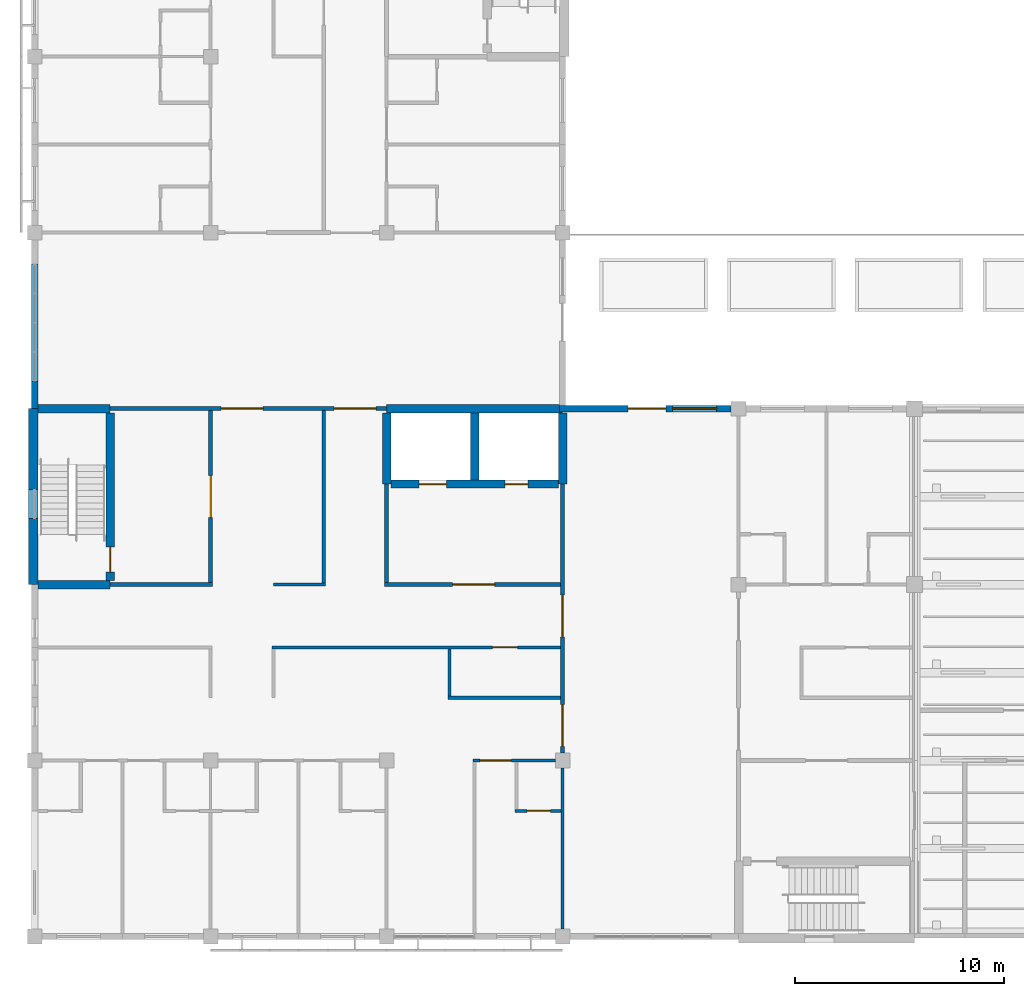
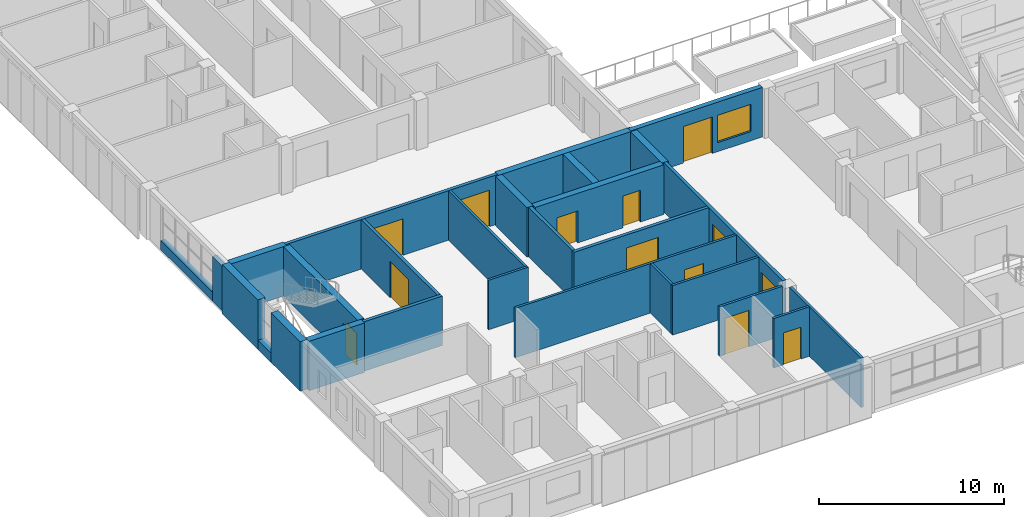
# One storey, part 28 of 61: 28 walls, 13 doors, 1 window, 14 openings.
"""IFC4 building model written with IfcOpenShell, lengths in metres."""

from ifc_helpers import new_model, si_unit, direction, frame, frame_2d, origin, place, context, subcontext, project, spatial, rectangle, extrude, material, layer, layer_set, type_object, element, fill, save


model = new_model("IFC4")

# Units and contexts
model_context = context("Model", 3, precision=1e-05, world=origin(), true_north=direction((0.0, 1.0)))
body_context = subcontext(model_context, "Body", "Model", "MODEL_VIEW")
ifc_project = project(units=[si_unit("LENGTHUNIT", "METRE"), si_unit("AREAUNIT", "SQUARE_METRE"), si_unit("VOLUMEUNIT", "CUBIC_METRE"), si_unit("PLANEANGLEUNIT", "RADIAN"), si_unit("MASSUNIT", "GRAM", prefix="KILO")], contexts=[model_context])

# Site, building, storey
site_placement = place(None, origin())
site = spatial("IfcSite", under=ifc_project, at=site_placement, CompositionType="ELEMENT")
building_placement = place(site_placement, origin())
building = spatial("IfcBuilding", under=site, at=building_placement, Name="Yavir Park General Hospital", CompositionType="ELEMENT")
storey_placement = place(building_placement, frame((0.0, 0.0, 15.300048828125)))
storey = spatial("IfcBuildingStorey", under=building, at=storey_placement, Name="L03", CompositionType="ELEMENT", Elevation=15.300048828125)

# Wall
ifc_material_1 = material(Name="Double gypsum board fire partition on steel studs", Category="steel")
ifc_layer_1 = layer(ifc_material_1, 0.199951171875)
ifc_layer_set_1 = layer_set([ifc_layer_1], Name="Double gypsum board fire partition on steel studs")
wall_type_1 = type_object("IfcWallType", Name="Fire-rated partition 200, EI 60", PredefinedType="PARTITIONING", material=ifc_layer_set_1)
wall_1_placement = place(storey_placement, frame((3.60009765625, 16.800048828125, 0.0), z_axis=(0.0, 0.0, 1.0), x_axis=(1.0, 0.0, 0.0)))
element("IfcWall", 1, at=wall_1_placement, inside=storey, type_object=wall_type_1, Name="FP20 L03-041", PredefinedType="PARTITIONING", context=body_context, shape_type="SweptSolid", body=[
    extrude(rectangle(XDim=4.89990234375, YDim=0.199951171875, at=frame_2d((2.449951171875, 0.0))), origin(), (0.0, 0.0, 1.0), 3.260009765625),
])

# Wall, opening, door
wall_2_placement = place(storey_placement, frame((16.699951171875, 16.800048828125, 0.0), z_axis=(0.0, 0.0, 1.0), x_axis=(1.0, 0.0, 0.0)))
wall_2 = element("IfcWall", 2, at=wall_2_placement, inside=storey, type_object=wall_type_1, Name="FP20 L03-043", PredefinedType="PARTITIONING", context=body_context, shape_type="SweptSolid", body=[
    extrude(rectangle(XDim=8.400146484375, YDim=0.199951171875, at=frame_2d((4.2001953125, 0.0))), origin(), (0.0, 0.0, 1.0), 3.260009765625),
])
opening_1_placement = place(wall_2_placement, frame((3.25, 0.0, 0.0)))
opening_1 = element("IfcOpeningElement", 3, at=opening_1_placement, cuts=wall_2, Name="Opening L03.D054", PredefinedType="OPENING", context=body_context, shape_type="SweptSolid", body=[
    extrude(rectangle(XDim=2.0, YDim=2.39990234375, at=frame_2d((1.0, 1.199951171875))), frame((0.0, 0.10986328125, 0.0), z_axis=(0.0, -1.0, 0.0), x_axis=(1.0, 0.0, 0.0)), (0.0, 0.0, 1.0), 0.219970703125),
])
ifc_material_2 = material(Name="Steel frame, fire-resisting leaves with vision panels", Category="steel")
door_type_1 = type_object("IfcDoorType", Name="Double fire door with vision panels 2000 x 2400, EI 60", OperationType="DOUBLE_DOOR_SINGLE_SWING", PredefinedType="DOOR", material=ifc_material_2)
door_1_placement = place(opening_1_placement, origin())
door_1 = element("IfcDoor", 4, at=door_1_placement, inside=storey, type_object=door_type_1, Name="L03.D054", OperationType="SINGLE_SWING_RIGHT", OverallHeight=2.39990234375, OverallWidth=2.0, PredefinedType="DOOR", context=body_context, shape_type="SweptSolid", body=[
    extrude(rectangle(XDim=2.0, YDim=2.39990234375, at=frame_2d((1.0, 1.199951171875))), frame((0.0, 0.030029296875, 0.0), z_axis=(0.0, -1.0, 0.0), x_axis=(1.0, 0.0, 0.0)), (0.0, 0.0, 1.0), 0.06005859375),
])
fill(opening_1, door_1)

# Wall, openings, doors
wall_3_placement = place(storey_placement, frame((3.60009765625, 25.199951171875, 0.0), z_axis=(0.0, 0.0, 1.0), x_axis=(1.0, 0.0, 0.0)))
wall_3 = element("IfcWall", 5, at=wall_3_placement, inside=storey, type_object=wall_type_1, Name="FP20 L03-061", PredefinedType="PARTITIONING", context=body_context, shape_type="SweptSolid", body=[
    extrude(rectangle(XDim=13.199951171875, YDim=0.199951171875, at=frame_2d((6.60009765625, 0.0))), origin(), (0.0, 0.0, 1.0), 3.260009765625),
])
opening_2_placement = place(wall_3_placement, frame((5.300048828125, 0.0, 0.0)))
opening_2 = element("IfcOpeningElement", 6, at=opening_2_placement, cuts=wall_3, Name="Opening L03.D079", PredefinedType="OPENING", context=body_context, shape_type="SweptSolid", body=[
    extrude(rectangle(XDim=2.0, YDim=2.39990234375, at=frame_2d((1.0, 1.199951171875))), frame((0.0, 0.10986328125, 0.0), z_axis=(0.0, -1.0, 0.0), x_axis=(1.0, 0.0, 0.0)), (0.0, 0.0, 1.0), 0.219970703125),
])
opening_3_placement = place(wall_3_placement, frame((10.699951171875, 0.0, 0.0)))
opening_3 = element("IfcOpeningElement", 7, at=opening_3_placement, cuts=wall_3, Name="Opening L03.D080", PredefinedType="OPENING", context=body_context, shape_type="SweptSolid", body=[
    extrude(rectangle(XDim=2.0, YDim=2.39990234375, at=frame_2d((1.0, 1.199951171875))), frame((0.0, 0.10986328125, 0.0), z_axis=(0.0, -1.0, 0.0), x_axis=(1.0, 0.0, 0.0)), (0.0, 0.0, 1.0), 0.219970703125),
])
door_2_placement = place(opening_2_placement, origin())
door_2 = element("IfcDoor", 8, at=door_2_placement, inside=storey, type_object=door_type_1, Name="L03.D079", OperationType="SINGLE_SWING_LEFT", OverallHeight=2.39990234375, OverallWidth=2.0, PredefinedType="DOOR", context=body_context, shape_type="SweptSolid", body=[
    extrude(rectangle(XDim=2.0, YDim=2.39990234375, at=frame_2d((1.0, 1.199951171875))), frame((0.0, 0.030029296875, 0.0), z_axis=(0.0, -1.0, 0.0), x_axis=(1.0, 0.0, 0.0)), (0.0, 0.0, 1.0), 0.06005859375),
])
fill(opening_2, door_2)
door_3_placement = place(opening_3_placement, origin())
door_3 = element("IfcDoor", 9, at=door_3_placement, inside=storey, type_object=door_type_1, Name="L03.D080", OperationType="SINGLE_SWING_LEFT", OverallHeight=2.39990234375, OverallWidth=2.0, PredefinedType="DOOR", context=body_context, shape_type="SweptSolid", body=[
    extrude(rectangle(XDim=2.0, YDim=2.39990234375, at=frame_2d((1.0, 1.199951171875))), frame((0.0, 0.030029296875, 0.0), z_axis=(0.0, -1.0, 0.0), x_axis=(1.0, 0.0, 0.0)), (0.0, 0.0, 1.0), 0.06005859375),
])
fill(opening_3, door_3)

# Wall, opening, door
wall_4_placement = place(storey_placement, frame((8.39990234375, 16.89990234375, 0.0), z_axis=(0.0, 0.0, 1.0), x_axis=(0.0, 1.0, 0.0)))
wall_4 = element("IfcWall", 10, at=wall_4_placement, inside=storey, type_object=wall_type_1, Name="FP20 L03-167", PredefinedType="PARTITIONING", context=body_context, shape_type="SweptSolid", body=[
    extrude(rectangle(XDim=8.2001953125, YDim=0.199951171875, at=frame_2d((4.10009765625, 0.0))), origin(), (0.0, 0.0, 1.0), 3.260009765625),
])
opening_4_placement = place(wall_4_placement, frame((3.10009765625, 0.0, 0.0)))
opening_4 = element("IfcOpeningElement", 11, at=opening_4_placement, cuts=wall_4, Name="Opening L03.D104", PredefinedType="OPENING", context=body_context, shape_type="SweptSolid", body=[
    extrude(rectangle(XDim=2.0, YDim=2.39990234375, at=frame_2d((1.0, 1.199951171875))), frame((0.0, 0.10986328125, 0.0), z_axis=(0.0, -1.0, 0.0), x_axis=(1.0, 0.0, 0.0)), (0.0, 0.0, 1.0), 0.219970703125),
])
door_4_placement = place(opening_4_placement, origin())
door_4 = element("IfcDoor", 12, at=door_4_placement, inside=storey, type_object=door_type_1, Name="L03.D104", OperationType="SINGLE_SWING_RIGHT", OverallHeight=2.39990234375, OverallWidth=2.0, PredefinedType="DOOR", context=body_context, shape_type="SweptSolid", body=[
    extrude(rectangle(XDim=2.0, YDim=2.39990234375, at=frame_2d((1.0, 1.199951171875))), frame((0.0, 0.030029296875, 0.0), z_axis=(0.0, -1.0, 0.0), x_axis=(1.0, 0.0, 0.0)), (0.0, 0.0, 1.0), 0.06005859375),
])
fill(opening_4, door_4)

# Wall
wall_5_placement = place(storey_placement, frame((16.800048828125, 16.89990234375, 0.0), z_axis=(0.0, 0.0, 1.0), x_axis=(0.0, 1.0, 0.0)))
element("IfcWall", 13, at=wall_5_placement, inside=storey, type_object=wall_type_1, Name="FP20 L03-189", PredefinedType="PARTITIONING", context=body_context, shape_type="SweptSolid", body=[
    extrude(rectangle(XDim=4.7001953125, YDim=0.199951171875, at=frame_2d((2.35009765625, 0.0))), origin(), (0.0, 0.0, 1.0), 3.260009765625),
])

# Wall, openings, doors
wall_6_placement = place(storey_placement, frame((25.199951171875, 8.75, 0.0), z_axis=(0.0, 0.0, 1.0), x_axis=(0.0, 1.0, 0.0)))
wall_6 = element("IfcWall", 14, at=wall_6_placement, inside=storey, type_object=wall_type_1, Name="FP20 L03-217", PredefinedType="PARTITIONING", context=body_context, shape_type="SweptSolid", body=[
    extrude(rectangle(XDim=12.85009765625, YDim=0.199951171875, at=frame_2d((6.425048828125, 0.0))), origin(), (0.0, 0.0, 1.0), 3.260009765625),
])
opening_5_placement = place(wall_6_placement, frame((0.324951171875, 0.0, 0.0)))
opening_5 = element("IfcOpeningElement", 15, at=opening_5_placement, cuts=wall_6, Name="Opening L03.D153", PredefinedType="OPENING", context=body_context, shape_type="SweptSolid", body=[
    extrude(rectangle(XDim=2.0, YDim=2.39990234375, at=frame_2d((1.0, 1.199951171875))), frame((0.0, 0.10986328125, 0.0), z_axis=(0.0, -1.0, 0.0), x_axis=(1.0, 0.0, 0.0)), (0.0, 0.0, 1.0), 0.219970703125),
])
opening_6_placement = place(wall_6_placement, frame((5.550048828125, 0.0, 0.0)))
opening_6 = element("IfcOpeningElement", 16, at=opening_6_placement, cuts=wall_6, Name="Opening L03.D154", PredefinedType="OPENING", context=body_context, shape_type="SweptSolid", body=[
    extrude(rectangle(XDim=2.0, YDim=2.39990234375, at=frame_2d((1.0, 1.199951171875))), frame((0.0, 0.10986328125, 0.0), z_axis=(0.0, -1.0, 0.0), x_axis=(1.0, 0.0, 0.0)), (0.0, 0.0, 1.0), 0.219970703125),
])
door_5_placement = place(opening_5_placement, origin())
door_5 = element("IfcDoor", 17, at=door_5_placement, inside=storey, type_object=door_type_1, Name="L03.D153", OperationType="SINGLE_SWING_LEFT", OverallHeight=2.39990234375, OverallWidth=2.0, PredefinedType="DOOR", context=body_context, shape_type="SweptSolid", body=[
    extrude(rectangle(XDim=2.0, YDim=2.39990234375, at=frame_2d((1.0, 1.199951171875))), frame((0.0, 0.030029296875, 0.0), z_axis=(0.0, -1.0, 0.0), x_axis=(1.0, 0.0, 0.0)), (0.0, 0.0, 1.0), 0.06005859375),
])
fill(opening_5, door_5)
door_6_placement = place(opening_6_placement, origin())
door_6 = element("IfcDoor", 18, at=door_6_placement, inside=storey, type_object=door_type_1, Name="L03.D154", OperationType="SINGLE_SWING_RIGHT", OverallHeight=2.39990234375, OverallWidth=2.0, PredefinedType="DOOR", context=body_context, shape_type="SweptSolid", body=[
    extrude(rectangle(XDim=2.0, YDim=2.39990234375, at=frame_2d((1.0, 1.199951171875))), frame((0.0, 0.030029296875, 0.0), z_axis=(0.0, -1.0, 0.0), x_axis=(1.0, 0.0, 0.0)), (0.0, 0.0, 1.0), 0.06005859375),
])
fill(opening_6, door_6)

# Wall, opening, door
ifc_material_3 = material(Name="Gypsum board partition on steel studs", Category="steel")
ifc_layer_2 = layer(ifc_material_3, 0.14990234375)
ifc_layer_set_2 = layer_set([ifc_layer_2], Name="Gypsum board partition on steel studs")
wall_type_2 = type_object("IfcWallType", Name="Gypsum board partition 150", PredefinedType="PARTITIONING", material=ifc_layer_set_2)
wall_7_placement = place(storey_placement, frame((22.925048828125, 6.0, 0.0), z_axis=(0.0, 0.0, 1.0), x_axis=(1.0, 0.0, 0.0)))
wall_7 = element("IfcWall", 19, at=wall_7_placement, inside=storey, type_object=wall_type_2, Name="P15 L03-008", PredefinedType="PARTITIONING", context=body_context, shape_type="SweptSolid", body=[
    extrude(rectangle(XDim=2.199951171875, YDim=0.14990234375, at=frame_2d((1.10009765625, 0.0))), origin(), (0.0, 0.0, 1.0), 3.260009765625),
])
opening_7_placement = place(wall_7_placement, frame((0.58740234375, 0.0, 0.0)))
opening_7 = element("IfcOpeningElement", 20, at=opening_7_placement, cuts=wall_7, Name="Opening L03.D009", PredefinedType="OPENING", context=body_context, shape_type="SweptSolid", body=[
    extrude(rectangle(XDim=1.10009765625, YDim=2.10009765625, at=frame_2d((0.550048828125, 1.050048828125))), frame((0.0, 0.0849609375, 0.0), z_axis=(0.0, -1.0, 0.0), x_axis=(1.0, 0.0, 0.0)), (0.0, 0.0, 1.0), 0.169921875),
])
ifc_material_4 = material(Name="Hollow metal frame, solid-core timber leaf", Category="wood")
door_type_2 = type_object("IfcDoorType", Name="Single swing door 1100 x 2100", OperationType="SINGLE_SWING_LEFT", PredefinedType="DOOR", material=ifc_material_4)
door_7_placement = place(opening_7_placement, origin())
door_7 = element("IfcDoor", 21, at=door_7_placement, inside=storey, type_object=door_type_2, Name="L03.D009", OperationType="SINGLE_SWING_RIGHT", OverallHeight=2.10009765625, OverallWidth=1.10009765625, PredefinedType="DOOR", context=body_context, shape_type="SweptSolid", body=[
    extrude(rectangle(XDim=1.10009765625, YDim=2.10009765625, at=frame_2d((0.550048828125, 1.050048828125))), frame((0.0, 0.02490234375, 0.0), z_axis=(0.0, -1.0, 0.0), x_axis=(1.0, 0.0, 0.0)), (0.0, 0.0, 1.0), 0.050048828125),
])
fill(opening_7, door_7)

wall_8_placement = place(storey_placement, frame((20.925048828125, 8.39990234375, 0.0), z_axis=(0.0, 0.0, 1.0), x_axis=(1.0, 0.0, 0.0)))
wall_8 = element("IfcWall", 22, at=wall_8_placement, inside=storey, type_object=wall_type_2, Name="P15 L03-016", PredefinedType="PARTITIONING", context=body_context, shape_type="SweptSolid", body=[
    extrude(rectangle(XDim=3.925048828125, YDim=0.14990234375, at=frame_2d((1.96240234375, 0.0))), origin(), (0.0, 0.0, 1.0), 3.260009765625),
])
opening_8_placement = place(wall_8_placement, frame((0.324951171875, 0.0, 0.0)))
opening_8 = element("IfcOpeningElement", 23, at=opening_8_placement, cuts=wall_8, Name="Opening L03.D024", PredefinedType="OPENING", context=body_context, shape_type="SweptSolid", body=[
    extrude(rectangle(XDim=1.5, YDim=2.39990234375, at=frame_2d((0.75, 1.199951171875))), frame((0.0, 0.0849609375, 0.0), z_axis=(0.0, -1.0, 0.0), x_axis=(1.0, 0.0, 0.0)), (0.0, 0.0, 1.0), 0.169921875),
])
ifc_material_5 = material(Name="Solid-core timber leaves, push plates, kick plates", Category="wood")
door_type_3 = type_object("IfcDoorType", Name="Bed door, unequal leaves 1500 x 2400", OperationType="DOUBLE_DOOR_SINGLE_SWING", PredefinedType="DOOR", material=ifc_material_5)
door_8_placement = place(opening_8_placement, origin())
door_8 = element("IfcDoor", 24, at=door_8_placement, inside=storey, type_object=door_type_3, Name="L03.D024", OperationType="SINGLE_SWING_LEFT", OverallHeight=2.39990234375, OverallWidth=1.5, PredefinedType="DOOR", context=body_context, shape_type="SweptSolid", body=[
    extrude(rectangle(XDim=1.5, YDim=2.39990234375, at=frame_2d((0.75, 1.199951171875))), frame((0.0, 0.030029296875, 0.0), z_axis=(0.0, -1.0, 0.0), x_axis=(1.0, 0.0, 0.0)), (0.0, 0.0, 1.0), 0.06005859375),
])
fill(opening_8, door_8)

# Wall
wall_9_placement = place(storey_placement, frame((19.72509765625, 11.39990234375, 0.0), z_axis=(0.0, 0.0, 1.0), x_axis=(1.0, 0.0, 0.0)))
element("IfcWall", 25, at=wall_9_placement, inside=storey, type_object=wall_type_2, Name="P15 L03-030", PredefinedType="PARTITIONING", context=body_context, shape_type="SweptSolid", body=[
    extrude(rectangle(XDim=5.375, YDim=0.14990234375, at=frame_2d((2.6875, 0.0))), origin(), (0.0, 0.0, 1.0), 3.260009765625),
])

# Wall, opening, door
wall_10_placement = place(storey_placement, frame((11.324951171875, 13.800048828125, 0.0), z_axis=(0.0, 0.0, 1.0), x_axis=(1.0, 0.0, 0.0)))
wall_10 = element("IfcWall", 26, at=wall_10_placement, inside=storey, type_object=wall_type_2, Name="P15 L03-035", PredefinedType="PARTITIONING", context=body_context, shape_type="SweptSolid", body=[
    extrude(rectangle(XDim=13.775146484375, YDim=0.14990234375, at=frame_2d((6.8876953125, 0.0))), origin(), (0.0, 0.0, 1.0), 3.260009765625),
])
opening_9_placement = place(wall_10_placement, frame((10.52490234375, 0.0, 0.0)))
opening_9 = element("IfcOpeningElement", 27, at=opening_9_placement, cuts=wall_10, Name="Opening L03.D048", PredefinedType="OPENING", context=body_context, shape_type="SweptSolid", body=[
    extrude(rectangle(XDim=1.199951171875, YDim=2.10009765625, at=frame_2d((0.60009765625, 1.050048828125))), frame((0.0, 0.0849609375, 0.0), z_axis=(0.0, -1.0, 0.0), x_axis=(1.0, 0.0, 0.0)), (0.0, 0.0, 1.0), 0.169921875),
])
ifc_material_6 = material(Name="Hollow metal frame, solid-core timber leaf", Category="wood")
door_type_4 = type_object("IfcDoorType", Name="Single swing door 1200 x 2100", OperationType="SINGLE_SWING_LEFT", PredefinedType="DOOR", material=ifc_material_6)
door_9_placement = place(opening_9_placement, origin())
door_9 = element("IfcDoor", 28, at=door_9_placement, inside=storey, type_object=door_type_4, Name="L03.D048", OperationType="SINGLE_SWING_LEFT", OverallHeight=2.10009765625, OverallWidth=1.199951171875, PredefinedType="DOOR", context=body_context, shape_type="SweptSolid", body=[
    extrude(rectangle(XDim=1.199951171875, YDim=2.10009765625, at=frame_2d((0.60009765625, 1.050048828125))), frame((0.0, 0.02490234375, 0.0), z_axis=(0.0, -1.0, 0.0), x_axis=(1.0, 0.0, 0.0)), (0.0, 0.0, 1.0), 0.050048828125),
])
fill(opening_9, door_9)

# Walls
wall_11_placement = place(storey_placement, frame((11.39990234375, 16.800048828125, 0.0), z_axis=(0.0, 0.0, 1.0), x_axis=(1.0, 0.0, 0.0)))
element("IfcWall", 29, at=wall_11_placement, inside=storey, type_object=wall_type_2, Name="P15 L03-042", PredefinedType="PARTITIONING", context=body_context, shape_type="SweptSolid", body=[
    extrude(rectangle(XDim=2.47509765625, YDim=0.14990234375, at=frame_2d((1.237548828125, 0.0))), origin(), (0.0, 0.0, 1.0), 3.260009765625),
])
wall_12_placement = place(storey_placement, frame((13.800048828125, 16.875, 0.0), z_axis=(0.0, 0.0, 1.0), x_axis=(0.0, 1.0, 0.0)))
element("IfcWall", 30, at=wall_12_placement, inside=storey, type_object=wall_type_2, Name="P15 L03-183", PredefinedType="PARTITIONING", context=body_context, shape_type="SweptSolid", body=[
    extrude(rectangle(XDim=8.22509765625, YDim=0.14990234375, at=frame_2d((4.112548828125, 0.0))), origin(), (0.0, 0.0, 1.0), 3.260009765625),
])
wall_13_placement = place(storey_placement, frame((19.800048828125, 11.47509765625, 0.0), z_axis=(0.0, 0.0, 1.0), x_axis=(0.0, 1.0, 0.0)))
element("IfcWall", 31, at=wall_13_placement, inside=storey, type_object=wall_type_2, Name="P15 L03-209", PredefinedType="PARTITIONING", context=body_context, shape_type="SweptSolid", body=[
    extrude(rectangle(XDim=2.25, YDim=0.14990234375, at=frame_2d((1.125, 0.0))), origin(), (0.0, 0.0, 1.0), 3.260009765625),
])
wall_14_placement = place(storey_placement, frame((25.199951171875, 0.35009765625, 0.0), z_axis=(0.0, 0.0, 1.0), x_axis=(0.0, 1.0, 0.0)))
element("IfcWall", 32, at=wall_14_placement, inside=storey, type_object=wall_type_2, Name="P15 L03-216", PredefinedType="PARTITIONING", context=body_context, shape_type="SweptSolid", body=[
    extrude(rectangle(XDim=7.699951171875, YDim=0.14990234375, at=frame_2d((3.85009765625, 0.0))), origin(), (0.0, 0.0, 1.0), 3.260009765625),
])

# Wall, openings, window, door
ifc_material_7 = material(Name="Autoclaved aerated block, mineral wool and ochre mineral render")
ifc_layer_3 = layer(ifc_material_7, 0.300048828125)
ifc_layer_set_3 = layer_set([ifc_layer_3], Name="Autoclaved aerated block, mineral wool and ochre mineral render")
wall_type_3 = type_object("IfcWallType", Name="Ochre render ward wall 300, E 30", PredefinedType="SOLIDWALL", material=ifc_layer_set_3)
wall_15_placement = place(storey_placement, frame((25.050048828125, 25.199951171875, 0.0), z_axis=(0.0, 0.0, 1.0), x_axis=(1.0, 0.0, 0.0)))
wall_15 = element("IfcWall", 33, at=wall_15_placement, inside=storey, type_object=wall_type_3, Name="XW7 L03-045", PredefinedType="SOLIDWALL", context=body_context, shape_type="SweptSolid", body=[
    extrude(rectangle(XDim=8.199951171875, YDim=0.300048828125, at=frame_2d((4.10009765625, 0.0))), origin(), (0.0, 0.0, 1.0), 3.260009765625),
])
opening_10_placement = place(wall_15_placement, frame((5.39990234375, 0.0, 0.60009765625)))
opening_10 = element("IfcOpeningElement", 34, at=opening_10_placement, cuts=wall_15, Name="Opening WB", PredefinedType="OPENING", context=body_context, shape_type="SweptSolid", body=[
    extrude(rectangle(XDim=2.10009765625, YDim=1.800048828125, at=frame_2d((1.050048828125, 0.89990234375))), frame((0.0, 0.159912109375, 0.0), z_axis=(0.0, -1.0, 0.0), x_axis=(1.0, 0.0, 0.0)), (0.0, 0.0, 1.0), 0.320068359375),
])
opening_11_placement = place(wall_15_placement, frame((3.27490234375, 0.0, 0.0)))
opening_11 = element("IfcOpeningElement", 35, at=opening_11_placement, cuts=wall_15, Name="Opening L03.X01", PredefinedType="OPENING", context=body_context, shape_type="SweptSolid", body=[
    extrude(rectangle(XDim=1.800048828125, YDim=2.39990234375, at=frame_2d((0.89990234375, 1.199951171875))), frame((0.0, 0.159912109375, 0.0), z_axis=(0.0, -1.0, 0.0), x_axis=(1.0, 0.0, 0.0)), (0.0, 0.0, 1.0), 0.320068359375),
])
ifc_material_8 = material(Name="Aluminium frame, double glazed unit", Category="aluminium")
window_type = type_object("IfcWindowType", Name="Day room low-sill window 2100 x 1800", PartitioningType="DOUBLE_PANEL_VERTICAL", PredefinedType="WINDOW", material=ifc_material_8)
window_placement = place(opening_10_placement, origin())
window = element("IfcWindow", 36, at=window_placement, inside=storey, type_object=window_type, Name="WB L03-021", OverallHeight=1.800048828125, OverallWidth=2.10009765625, PartitioningType="DOUBLE_PANEL_VERTICAL", PredefinedType="WINDOW", context=body_context, shape_type="SweptSolid", body=[
    extrude(rectangle(XDim=2.10009765625, YDim=1.800048828125, at=frame_2d((1.050048828125, 0.89990234375))), frame((0.0, 0.030029296875, 0.0), z_axis=(0.0, -1.0, 0.0), x_axis=(1.0, 0.0, 0.0)), (0.0, 0.0, 1.0), 0.06005859375),
])
fill(opening_10, window)
ifc_material_9 = material(Name="Aluminium thermal-break frame, double glazed leaves", Category="aluminium")
door_type_5 = type_object("IfcDoorType", Name="Thermally broken balcony sliding door 1800 x 2400", OperationType="DOUBLE_DOOR_SLIDING", PredefinedType="DOOR", material=ifc_material_9)
door_10_placement = place(opening_11_placement, origin())
door_10 = element("IfcDoor", 37, at=door_10_placement, inside=storey, type_object=door_type_5, Name="L03.X01", OperationType="DOUBLE_DOOR_SLIDING", OverallHeight=2.39990234375, OverallWidth=1.800048828125, PredefinedType="DOOR", context=body_context, shape_type="SweptSolid", body=[
    extrude(rectangle(XDim=1.800048828125, YDim=2.39990234375, at=frame_2d((0.89990234375, 1.199951171875))), frame((0.0, 0.030029296875, 0.0), z_axis=(0.0, -1.0, 0.0), x_axis=(1.0, 0.0, 0.0)), (0.0, 0.0, 1.0), 0.06005859375),
])
fill(opening_11, door_10)

# Walls
wall_16_placement = place(storey_placement, frame((0.0, 25.199951171875, 0.0), z_axis=(0.0, 0.0, 1.0), x_axis=(0.0, 1.0, 0.0)))
element("IfcWall", 38, at=wall_16_placement, inside=storey, type_object=wall_type_3, Name="XW7 L03-100", PredefinedType="SOLIDWALL", context=body_context, shape_type="SweptSolid", body=[
    extrude(rectangle(XDim=1.300048828125, YDim=0.300048828125, at=frame_2d((0.64990234375, 0.0))), origin(), (0.0, 0.0, 1.0), 2.9599609375),
])
wall_17_placement = place(storey_placement, frame((0.0, 26.5, 0.0), z_axis=(0.0, 0.0, 1.0), x_axis=(0.0, 1.0, 0.0)))
element("IfcWall", 39, at=wall_17_placement, inside=storey, type_object=wall_type_3, Name="XW7 L03-102", PredefinedType="SOLIDWALL", context=body_context, shape_type="SweptSolid", body=[
    extrude(rectangle(XDim=5.60009765625, YDim=0.300048828125, at=frame_2d((2.800048828125, 0.0))), origin(), (0.0, 0.0, 1.0), 0.599853515625),
])
ifc_material_10 = material(Name="Concrete C35/45", Category="concrete")
ifc_layer_4 = layer(ifc_material_10, 0.39990234375)
ifc_layer_set_4 = layer_set([ifc_layer_4], Name="Concrete C35/45")
wall_type_4 = type_object("IfcWallType", Name="Reinforced concrete core wall 400, REI 150", PredefinedType="SHEAR", material=ifc_layer_set_4)
wall_18_placement = place(storey_placement, frame((0.14990234375, 16.800048828125, 0.0), z_axis=(0.0, 0.0, 1.0), x_axis=(1.0, 0.0, 0.0)))
element("IfcWall", 40, at=wall_18_placement, inside=storey, type_object=wall_type_4, Name="CW40 L03-040", PredefinedType="SHEAR", context=body_context, shape_type="SweptSolid", body=[
    extrude(rectangle(XDim=3.4501953125, YDim=0.39990234375, at=frame_2d((1.72509765625, 0.0))), origin(), (0.0, 0.0, 1.0), 3.260009765625),
])

# Wall, openings, doors
wall_19_placement = place(storey_placement, frame((17.0, 21.60009765625, 0.0), z_axis=(0.0, 0.0, 1.0), x_axis=(1.0, 0.0, 0.0)))
wall_19 = element("IfcWall", 41, at=wall_19_placement, inside=storey, type_object=wall_type_4, Name="CW40 L03-058", PredefinedType="SHEAR", context=body_context, shape_type="SweptSolid", body=[
    extrude(rectangle(XDim=8.0, YDim=0.39990234375, at=frame_2d((4.0, 0.0))), origin(), (0.0, 0.0, 1.0), 3.260009765625),
])
opening_12_placement = place(wall_19_placement, frame((1.35009765625, 0.0, 0.0)))
opening_12 = element("IfcOpeningElement", 42, at=opening_12_placement, cuts=wall_19, Name="Opening L03.D071", PredefinedType="OPENING", context=body_context, shape_type="SweptSolid", body=[
    extrude(rectangle(XDim=1.300048828125, YDim=2.10009765625, at=frame_2d((0.64990234375, 1.050048828125))), frame((0.0, 0.2099609375, 0.0), z_axis=(0.0, -1.0, 0.0), x_axis=(1.0, 0.0, 0.0)), (0.0, 0.0, 1.0), 0.419921875),
])
opening_13_placement = place(wall_19_placement, frame((5.449951171875, 0.0, 0.0)))
opening_13 = element("IfcOpeningElement", 43, at=opening_13_placement, cuts=wall_19, Name="Opening L03.D072", PredefinedType="OPENING", context=body_context, shape_type="SweptSolid", body=[
    extrude(rectangle(XDim=1.10009765625, YDim=2.10009765625, at=frame_2d((0.550048828125, 1.050048828125))), frame((0.0, 0.2099609375, 0.0), z_axis=(0.0, -1.0, 0.0), x_axis=(1.0, 0.0, 0.0)), (0.0, 0.0, 1.0), 0.419921875),
])
ifc_material_11 = material(Name="Stainless steel landing door panels", Category="steel")
door_type_6 = type_object("IfcDoorType", Name="Lift landing door 1100 x 2100, EI 60", OperationType="SLIDING_TO_LEFT", PredefinedType="DOOR", material=ifc_material_11)
door_11_placement = place(opening_13_placement, origin())
door_11 = element("IfcDoor", 44, at=door_11_placement, inside=storey, type_object=door_type_6, Name="L03.D072", OperationType="SLIDING_TO_LEFT", OverallHeight=2.10009765625, OverallWidth=1.10009765625, PredefinedType="DOOR", context=body_context, shape_type="SweptSolid", body=[
    extrude(rectangle(XDim=1.10009765625, YDim=2.10009765625, at=frame_2d((0.550048828125, 1.050048828125))), frame((0.0, 0.02490234375, 0.0), z_axis=(0.0, -1.0, 0.0), x_axis=(1.0, 0.0, 0.0)), (0.0, 0.0, 1.0), 0.050048828125),
])
fill(opening_13, door_11)
ifc_material_12 = material(Name="Stainless steel landing door panels", Category="steel")
door_type_7 = type_object("IfcDoorType", Name="Lift landing door 1300 x 2100, EI 60", OperationType="SLIDING_TO_LEFT", PredefinedType="DOOR", material=ifc_material_12)
door_12_placement = place(opening_12_placement, origin())
door_12 = element("IfcDoor", 45, at=door_12_placement, inside=storey, type_object=door_type_7, Name="L03.D071", OperationType="SLIDING_TO_LEFT", OverallHeight=2.10009765625, OverallWidth=1.300048828125, PredefinedType="DOOR", context=body_context, shape_type="SweptSolid", body=[
    extrude(rectangle(XDim=1.300048828125, YDim=2.10009765625, at=frame_2d((0.64990234375, 1.050048828125))), frame((0.0, 0.02490234375, 0.0), z_axis=(0.0, -1.0, 0.0), x_axis=(1.0, 0.0, 0.0)), (0.0, 0.0, 1.0), 0.050048828125),
])
fill(opening_12, door_12)

# Walls
wall_20_placement = place(storey_placement, frame((0.14990234375, 25.199951171875, 0.0), z_axis=(0.0, 0.0, 1.0), x_axis=(1.0, 0.0, 0.0)))
element("IfcWall", 46, at=wall_20_placement, inside=storey, type_object=wall_type_4, Name="CW40 L03-060", PredefinedType="SHEAR", context=body_context, shape_type="SweptSolid", body=[
    extrude(rectangle(XDim=3.4501953125, YDim=0.39990234375, at=frame_2d((1.72509765625, 0.0))), origin(), (0.0, 0.0, 1.0), 3.260009765625),
])
wall_21_placement = place(storey_placement, frame((16.800048828125, 25.199951171875, 0.0), z_axis=(0.0, 0.0, 1.0), x_axis=(1.0, 0.0, 0.0)))
element("IfcWall", 47, at=wall_21_placement, inside=storey, type_object=wall_type_4, Name="CW40 L03-062", PredefinedType="SHEAR", context=body_context, shape_type="SweptSolid", body=[
    extrude(rectangle(XDim=8.39990234375, YDim=0.39990234375, at=frame_2d((4.199951171875, 0.0))), origin(), (0.0, 0.0, 1.0), 3.260009765625),
])

# Wall, opening, door
wall_22_placement = place(storey_placement, frame((3.60009765625, 17.0, 0.0), z_axis=(0.0, 0.0, 1.0), x_axis=(0.0, 1.0, 0.0)))
wall_22 = element("IfcWall", 48, at=wall_22_placement, inside=storey, type_object=wall_type_4, Name="CW40 L03-148", PredefinedType="SHEAR", context=body_context, shape_type="SweptSolid", body=[
    extrude(rectangle(XDim=8.0, YDim=0.39990234375, at=frame_2d((4.0, 0.0))), origin(), (0.0, 0.0, 1.0), 3.260009765625),
])
opening_14_placement = place(wall_22_placement, frame((0.39990234375, 0.0, 0.0)))
opening_14 = element("IfcOpeningElement", 49, at=opening_14_placement, cuts=wall_22, Name="Opening L03.D090", PredefinedType="OPENING", context=body_context, shape_type="SweptSolid", body=[
    extrude(rectangle(XDim=1.199951171875, YDim=2.10009765625, at=frame_2d((0.60009765625, 1.050048828125))), frame((0.0, 0.2099609375, 0.0), z_axis=(0.0, -1.0, 0.0), x_axis=(1.0, 0.0, 0.0)), (0.0, 0.0, 1.0), 0.419921875),
])
ifc_material_13 = material(Name="Steel frame, fire-resisting timber leaf", Category="steel")
door_type_8 = type_object("IfcDoorType", Name="Fire door 1200 x 2100, EI 60", OperationType="SINGLE_SWING_LEFT", PredefinedType="DOOR", material=ifc_material_13)
door_13_placement = place(opening_14_placement, origin())
door_13 = element("IfcDoor", 50, at=door_13_placement, inside=storey, type_object=door_type_8, Name="L03.D090", OperationType="SINGLE_SWING_RIGHT", OverallHeight=2.10009765625, OverallWidth=1.199951171875, PredefinedType="DOOR", context=body_context, shape_type="SweptSolid", body=[
    extrude(rectangle(XDim=1.199951171875, YDim=2.10009765625, at=frame_2d((0.60009765625, 1.050048828125))), frame((0.0, 0.02490234375, 0.0), z_axis=(0.0, -1.0, 0.0), x_axis=(1.0, 0.0, 0.0)), (0.0, 0.0, 1.0), 0.050048828125),
])
fill(opening_14, door_13)

# Walls
wall_23_placement = place(storey_placement, frame((16.800048828125, 21.60009765625, 0.0), z_axis=(0.0, 0.0, 1.0), x_axis=(0.0, 1.0, 0.0)))
element("IfcWall", 51, at=wall_23_placement, inside=storey, type_object=wall_type_4, Name="CW40 L03-190", PredefinedType="SHEAR", context=body_context, shape_type="SweptSolid", body=[
    extrude(rectangle(XDim=3.39990234375, YDim=0.39990234375, at=frame_2d((1.699951171875, 0.0))), origin(), (0.0, 0.0, 1.0), 3.260009765625),
])
wall_24_placement = place(storey_placement, frame((21.0, 21.800048828125, 0.0), z_axis=(0.0, 0.0, 1.0), x_axis=(0.0, 1.0, 0.0)))
element("IfcWall", 52, at=wall_24_placement, inside=storey, type_object=wall_type_4, Name="CW40 L03-211", PredefinedType="SHEAR", context=body_context, shape_type="SweptSolid", body=[
    extrude(rectangle(XDim=3.199951171875, YDim=0.39990234375, at=frame_2d((1.60009765625, 0.0))), origin(), (0.0, 0.0, 1.0), 3.260009765625),
])
wall_25_placement = place(storey_placement, frame((25.199951171875, 21.60009765625, 0.0), z_axis=(0.0, 0.0, 1.0), x_axis=(0.0, 1.0, 0.0)))
element("IfcWall", 53, at=wall_25_placement, inside=storey, type_object=wall_type_4, Name="CW40 L03-218", PredefinedType="SHEAR", context=body_context, shape_type="SweptSolid", body=[
    extrude(rectangle(XDim=3.39990234375, YDim=0.39990234375, at=frame_2d((1.699951171875, 0.0))), origin(), (0.0, 0.0, 1.0), 3.260009765625),
])
ifc_material_14 = material(Name="Concrete C30/37 precast panel with 150 mm mineral wool insulation", Category="concrete")
ifc_layer_5 = layer(ifc_material_14, 0.449951171875)
ifc_layer_set_5 = layer_set([ifc_layer_5], Name="Concrete C30/37 precast panel with 150 mm mineral wool insulation")
wall_type_5 = type_object("IfcWallType", Name="Stair enclosure wall 450, REI 150", PredefinedType="SOLIDWALL", material=ifc_layer_set_5)
wall_26_placement = place(storey_placement, frame((-0.074951171875, 16.800048828125, 0.0), z_axis=(0.0, 0.0, 1.0), x_axis=(0.0, 1.0, 0.0)))
element("IfcWall", 54, at=wall_26_placement, inside=storey, type_object=wall_type_5, Name="XW6 L03-097", PredefinedType="SOLIDWALL", context=body_context, shape_type="SweptSolid", body=[
    extrude(rectangle(XDim=3.14990234375, YDim=0.449951171875, at=frame_2d((1.574951171875, 0.0))), origin(), (0.0, 0.0, 1.0), 3.260009765625),
])
wall_27_placement = place(storey_placement, frame((-0.074951171875, 21.35009765625, 0.0), z_axis=(0.0, 0.0, 1.0), x_axis=(0.0, 1.0, 0.0)))
element("IfcWall", 55, at=wall_27_placement, inside=storey, type_object=wall_type_5, Name="XW6 L03-098", PredefinedType="SOLIDWALL", context=body_context, shape_type="SweptSolid", body=[
    extrude(rectangle(XDim=3.849853515625, YDim=0.449951171875, at=frame_2d((1.9248046875, 0.0))), origin(), (0.0, 0.0, 1.0), 3.260009765625),
])
wall_28_placement = place(storey_placement, frame((-0.074951171875, 19.949951171875, 0.0), z_axis=(0.0, 0.0, 1.0), x_axis=(0.0, 1.0, 0.0)))
element("IfcWall", 56, at=wall_28_placement, inside=storey, type_object=wall_type_5, Name="XW6 L03-099", PredefinedType="SOLIDWALL", context=body_context, shape_type="SweptSolid", body=[
    extrude(rectangle(XDim=1.400146484375, YDim=0.449951171875, at=frame_2d((0.7001953125, 0.0))), origin(), (0.0, 0.0, 1.0), 0.599853515625),
])

save(model, "model.ifc")
